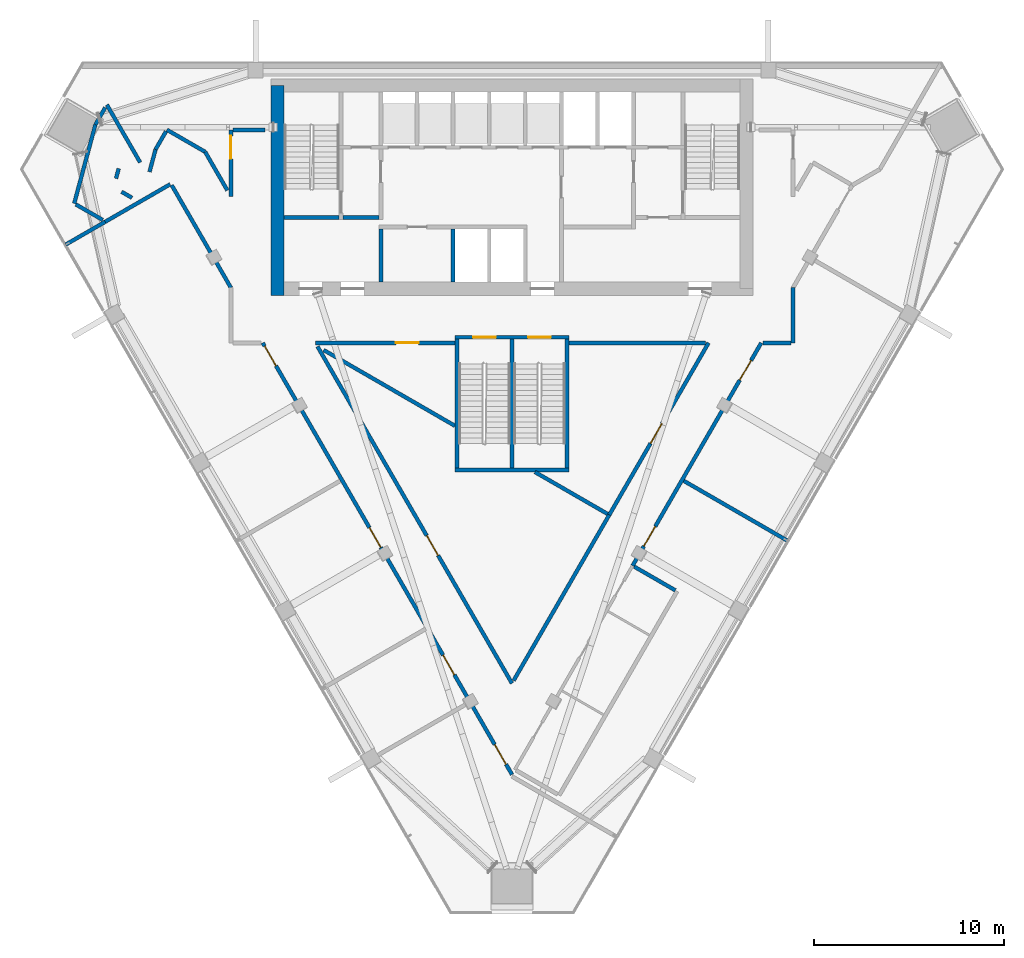
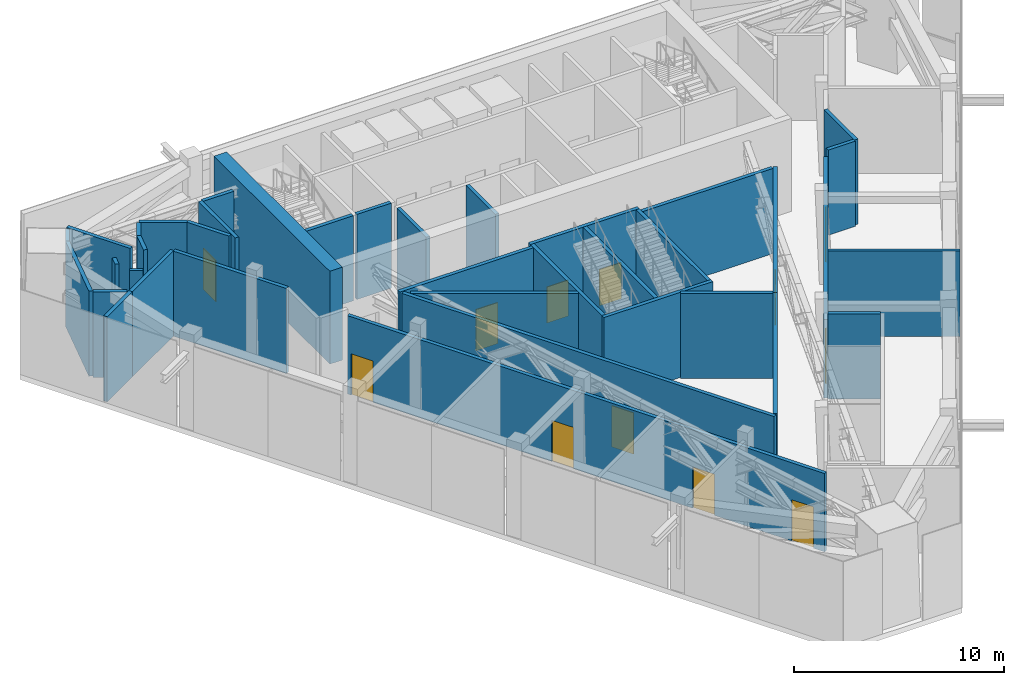
# One storey, part 9 of 14: 38 walls, 12 doors, 12 openings.
"""IFC4 building model written with IfcOpenShell, lengths in metres."""

from ifc_helpers import new_model, si_unit, direction, frame, frame_2d, origin, place, context, subcontext, project, spatial, rectangle, extrude, material, layer, layer_set, type_object, element, fill, save


model = new_model("IFC4")

# Units and contexts
model_context = context("Model", 3, precision=1e-05, world=origin(), true_north=direction((0.0, 1.0)))
body_context = subcontext(model_context, "Body", "Model", "MODEL_VIEW")
ifc_project = project(units=[si_unit("LENGTHUNIT", "METRE"), si_unit("AREAUNIT", "SQUARE_METRE"), si_unit("VOLUMEUNIT", "CUBIC_METRE"), si_unit("PLANEANGLEUNIT", "RADIAN"), si_unit("MASSUNIT", "GRAM", prefix="KILO")], contexts=[model_context])

# Site, building, storey
site_placement = place(None, origin())
site = spatial("IfcSite", under=ifc_project, at=site_placement, CompositionType="ELEMENT")
building_placement = place(site_placement, origin())
building = spatial("IfcBuilding", under=site, at=building_placement, Name="Altiplano Prism Tower", CompositionType="ELEMENT")
storey_placement = place(building_placement, frame((0.0, 0.0, 189.0)))
storey = spatial("IfcBuildingStorey", under=building, at=storey_placement, Name="L49", CompositionType="ELEMENT", Elevation=189.0)

# Walls
ifc_material_1 = material(Name="Concrete C60/75", Category="concrete")
ifc_layer_1 = layer(ifc_material_1, 0.699951171875)
ifc_layer_set_1 = layer_set([ifc_layer_1], Name="Concrete C60/75")
wall_type_1 = type_object("IfcWallType", Name="Core wall 700", PredefinedType="SHEAR", material=ifc_layer_set_1)
wall_1_placement = place(storey_placement, frame((72.64990234375, 103.75, 0.0), z_axis=(0.0, 0.0, 1.0), x_axis=(0.0, -1.0, 0.0)))
element("IfcWall", 1, at=wall_1_placement, inside=storey, type_object=wall_type_1, Name="Core wall W L49", PredefinedType="SHEAR", context=body_context, shape_type="SweptSolid", body=[
    extrude(rectangle(XDim=11.050048828125, YDim=0.699951171875, at=frame_2d((5.52490234375, 0.0))), origin(), (0.0, 0.0, 1.0), 5.39990234375),
])
ifc_material_2 = material(Name="Plasterboard on steel stud", Category="steel")
ifc_layer_2 = layer(ifc_material_2, 0.199951171875)
ifc_layer_set_2 = layer_set([ifc_layer_2], Name="Plasterboard on steel stud")
wall_type_2 = type_object("IfcWallType", Name="Partition 200 plant", PredefinedType="PARTITIONING", material=ifc_layer_set_2)
wall_2_placement = place(storey_placement, frame((63.580078125, 96.57421875, 0.0), z_axis=(0.0, 0.0, 1.0), x_axis=(0.86603939311, 0.499975768995, 0.0)))
element("IfcWall", 2, at=wall_2_placement, inside=storey, type_object=wall_type_2, Name="Partition P04 L49 001", PredefinedType="PARTITIONING", context=body_context, shape_type="SweptSolid", body=[
    extrude(rectangle(XDim=3.948974609375, YDim=0.199951171875, at=frame_2d((1.974609375, 0.0))), origin(), (0.0, 0.0, 1.0), 4.949951171875),
])
wall_3_placement = place(storey_placement, frame((67.084228515625, 98.5, 0.0), z_axis=(0.0, 0.0, 1.0), x_axis=(0.500007335828, -0.866021168401, 0.0)))
element("IfcWall", 3, at=wall_3_placement, inside=storey, type_object=wall_type_2, Name="Partition P04 L49 002", PredefinedType="PARTITIONING", context=body_context, shape_type="SweptSolid", body=[
    extrude(rectangle(XDim=6.2314453125, YDim=0.199951171875, at=frame_2d((3.11572265625, 0.0))), origin(), (0.0, 0.0, 1.0), 4.949951171875),
])

# Wall, openings, doors
wall_4_placement = place(storey_placement, frame((71.876220703125, 90.199951171875, 0.0), z_axis=(0.0, 0.0, 1.0), x_axis=(0.500005603162, -0.866022168773, 0.0)))
wall_4 = element("IfcWall", 4, at=wall_4_placement, inside=storey, type_object=wall_type_2, Name="Partition P04 L49 005", PredefinedType="PARTITIONING", context=body_context, shape_type="SweptSolid", body=[
    extrude(rectangle(XDim=26.247314453125, YDim=0.199951171875, at=frame_2d((13.12353515625, 0.0))), origin(), (0.0, 0.0, 1.0), 4.550048828125),
])
opening_1_placement = place(wall_4_placement, frame((0.199951171875, 0.0, 0.0)))
opening_1 = element("IfcOpeningElement", 5, at=opening_1_placement, cuts=wall_4, Name="Opening D1722", PredefinedType="OPENING", context=body_context, shape_type="SweptSolid", body=[
    extrude(rectangle(XDim=1.199951171875, YDim=2.39990234375, at=frame_2d((0.60009765625, 1.199951171875))), frame((0.0, 0.1103515625, 0.0), z_axis=(0.0, -1.0, 0.0), x_axis=(1.0, 0.0, 0.0)), (0.0, 0.0, 1.0), 0.220947265625),
])
opening_2_placement = place(wall_4_placement, frame((11.23193359375, 0.0, 0.0)))
opening_2 = element("IfcOpeningElement", 6, at=opening_2_placement, cuts=wall_4, Name="Opening D1723", PredefinedType="OPENING", context=body_context, shape_type="SweptSolid", body=[
    extrude(rectangle(XDim=1.199951171875, YDim=2.39990234375, at=frame_2d((0.60009765625, 1.199951171875))), frame((0.0, 0.1103515625, 0.0), z_axis=(0.0, -1.0, 0.0), x_axis=(1.0, 0.0, 0.0)), (0.0, 0.0, 1.0), 0.220947265625),
])
opening_3_placement = place(wall_4_placement, frame((18.98193359375, 0.0, 0.0)))
opening_3 = element("IfcOpeningElement", 7, at=opening_3_placement, cuts=wall_4, Name="Opening D1724", PredefinedType="OPENING", context=body_context, shape_type="SweptSolid", body=[
    extrude(rectangle(XDim=1.199951171875, YDim=2.39990234375, at=frame_2d((0.60009765625, 1.199951171875))), frame((0.0, 0.1103515625, 0.0), z_axis=(0.0, -1.0, 0.0), x_axis=(1.0, 0.0, 0.0)), (0.0, 0.0, 1.0), 0.220947265625),
])
opening_4_placement = place(wall_4_placement, frame((24.423095703125, 0.0, 0.0)))
opening_4 = element("IfcOpeningElement", 8, at=opening_4_placement, cuts=wall_4, Name="Opening D1725", PredefinedType="OPENING", context=body_context, shape_type="SweptSolid", body=[
    extrude(rectangle(XDim=1.199951171875, YDim=2.39990234375, at=frame_2d((0.60009765625, 1.199951171875))), frame((0.0, 0.1103515625, 0.0), z_axis=(0.0, -1.0, 0.0), x_axis=(1.0, 0.0, 0.0)), (0.0, 0.0, 1.0), 0.220947265625),
])
ifc_material_3 = material(Name="Painted steel door leaf", Category="steel")
door_type_1 = type_object("IfcDoorType", Name="Plant room door 1200 x 2400", OperationType="NOTDEFINED", PredefinedType="NOTDEFINED", material=ifc_material_3)
door_1_placement = place(opening_1_placement, origin())
door_1 = element("IfcDoor", 9, at=door_1_placement, inside=storey, type_object=door_type_1, Name="Door D1722", OperationType="SINGLE_SWING_RIGHT", OverallHeight=2.39990234375, OverallWidth=1.199951171875, PredefinedType="NOTDEFINED", context=body_context, shape_type="SweptSolid", body=[
    extrude(rectangle(XDim=1.199951171875, YDim=2.39990234375, at=frame_2d((0.60009765625, 1.199951171875))), frame((0.0, 0.02490234375, 0.0), z_axis=(0.0, -1.0, 0.0), x_axis=(1.0, 0.0, 0.0)), (0.0, 0.0, 1.0), 0.050048828125),
])
fill(opening_1, door_1)
door_2_placement = place(opening_2_placement, origin())
door_2 = element("IfcDoor", 10, at=door_2_placement, inside=storey, type_object=door_type_1, Name="Door D1723", OperationType="SINGLE_SWING_LEFT", OverallHeight=2.39990234375, OverallWidth=1.199951171875, PredefinedType="NOTDEFINED", context=body_context, shape_type="SweptSolid", body=[
    extrude(rectangle(XDim=1.199951171875, YDim=2.39990234375, at=frame_2d((0.60009765625, 1.199951171875))), frame((0.0, 0.02490234375, 0.0), z_axis=(0.0, -1.0, 0.0), x_axis=(1.0, 0.0, 0.0)), (0.0, 0.0, 1.0), 0.050048828125),
])
fill(opening_2, door_2)
door_3_placement = place(opening_3_placement, origin())
door_3 = element("IfcDoor", 11, at=door_3_placement, inside=storey, type_object=door_type_1, Name="Door D1724", OperationType="SINGLE_SWING_LEFT", OverallHeight=2.39990234375, OverallWidth=1.199951171875, PredefinedType="NOTDEFINED", context=body_context, shape_type="SweptSolid", body=[
    extrude(rectangle(XDim=1.199951171875, YDim=2.39990234375, at=frame_2d((0.60009765625, 1.199951171875))), frame((0.0, 0.02490234375, 0.0), z_axis=(0.0, -1.0, 0.0), x_axis=(1.0, 0.0, 0.0)), (0.0, 0.0, 1.0), 0.050048828125),
])
fill(opening_3, door_3)
door_4_placement = place(opening_4_placement, origin())
door_4 = element("IfcDoor", 12, at=door_4_placement, inside=storey, type_object=door_type_1, Name="Door D1725", OperationType="SINGLE_SWING_RIGHT", OverallHeight=2.39990234375, OverallWidth=1.199951171875, PredefinedType="NOTDEFINED", context=body_context, shape_type="SweptSolid", body=[
    extrude(rectangle(XDim=1.199951171875, YDim=2.39990234375, at=frame_2d((0.60009765625, 1.199951171875))), frame((0.0, 0.02490234375, 0.0), z_axis=(0.0, -1.0, 0.0), x_axis=(1.0, 0.0, 0.0)), (0.0, 0.0, 1.0), 0.050048828125),
])
fill(opening_4, door_4)

wall_5_placement = place(storey_placement, frame((91.35009765625, 78.4677734375, 0.0), z_axis=(0.0, 0.0, 1.0), x_axis=(0.50000584995, 0.866022026288, 0.0)))
wall_5 = element("IfcWall", 13, at=wall_5_placement, inside=storey, type_object=wall_type_2, Name="Partition P04 L49 006", PredefinedType="PARTITIONING", context=body_context, shape_type="SweptSolid", body=[
    extrude(rectangle(XDim=13.547119140625, YDim=0.199951171875, at=frame_2d((6.7734375, 0.0))), origin(), (0.0, 0.0, 1.0), 4.550048828125),
])
opening_5_placement = place(wall_5_placement, frame((1.18408203125, 0.0, 0.0)))
opening_5 = element("IfcOpeningElement", 14, at=opening_5_placement, cuts=wall_5, Name="Opening D1726", PredefinedType="OPENING", context=body_context, shape_type="SweptSolid", body=[
    extrude(rectangle(XDim=1.199951171875, YDim=2.39990234375, at=frame_2d((0.60009765625, 1.199951171875))), frame((0.0, 0.1103515625, 0.0), z_axis=(0.0, -1.0, 0.0), x_axis=(1.0, 0.0, 0.0)), (0.0, 0.0, 1.0), 0.220947265625),
])
opening_6_placement = place(wall_5_placement, frame((11.281005859375, 0.0, 0.0)))
opening_6 = element("IfcOpeningElement", 15, at=opening_6_placement, cuts=wall_5, Name="Opening D1727", PredefinedType="OPENING", context=body_context, shape_type="SweptSolid", body=[
    extrude(rectangle(XDim=1.199951171875, YDim=2.39990234375, at=frame_2d((0.60009765625, 1.199951171875))), frame((0.0, 0.1103515625, 0.0), z_axis=(0.0, -1.0, 0.0), x_axis=(1.0, 0.0, 0.0)), (0.0, 0.0, 1.0), 0.220947265625),
])
door_5_placement = place(opening_5_placement, origin())
door_5 = element("IfcDoor", 16, at=door_5_placement, inside=storey, type_object=door_type_1, Name="Door D1726", OperationType="SINGLE_SWING_RIGHT", OverallHeight=2.39990234375, OverallWidth=1.199951171875, PredefinedType="NOTDEFINED", context=body_context, shape_type="SweptSolid", body=[
    extrude(rectangle(XDim=1.199951171875, YDim=2.39990234375, at=frame_2d((0.60009765625, 1.199951171875))), frame((0.0, 0.02490234375, 0.0), z_axis=(0.0, -1.0, 0.0), x_axis=(1.0, 0.0, 0.0)), (0.0, 0.0, 1.0), 0.050048828125),
])
fill(opening_5, door_5)
door_6_placement = place(opening_6_placement, origin())
door_6 = element("IfcDoor", 17, at=door_6_placement, inside=storey, type_object=door_type_1, Name="Door D1727", OperationType="SINGLE_SWING_LEFT", OverallHeight=2.39990234375, OverallWidth=1.199951171875, PredefinedType="NOTDEFINED", context=body_context, shape_type="SweptSolid", body=[
    extrude(rectangle(XDim=1.199951171875, YDim=2.39990234375, at=frame_2d((0.60009765625, 1.199951171875))), frame((0.0, 0.02490234375, 0.0), z_axis=(0.0, -1.0, 0.0), x_axis=(1.0, 0.0, 0.0)), (0.0, 0.0, 1.0), 0.050048828125),
])
fill(opening_6, door_6)

# Walls
wall_6_placement = place(storey_placement, frame((98.210205078125, 90.199951171875, 0.0), z_axis=(0.0, 0.0, 1.0), x_axis=(0.999999946286, 0.000327761372, 0.0)))
element("IfcWall", 18, at=wall_6_placement, inside=storey, type_object=wall_type_2, Name="Partition P04 L49 007", PredefinedType="PARTITIONING", context=body_context, shape_type="SweptSolid", body=[
    extrude(rectangle(XDim=1.48974609375, YDim=0.199951171875, at=frame_2d((0.744873046875, 0.0))), origin(), (0.0, 0.0, 1.0), 4.949951171875),
])
wall_7_placement = place(storey_placement, frame((99.7998046875, 90.200439453125, 0.0), z_axis=(0.0, 0.0, 1.0), x_axis=(8.4097216e-05, 0.999999996464, 0.0)))
element("IfcWall", 19, at=wall_7_placement, inside=storey, type_object=wall_type_2, Name="Partition P04 L49 008", PredefinedType="PARTITIONING", context=body_context, shape_type="SweptSolid", body=[
    extrude(rectangle(XDim=2.903076171875, YDim=0.199951171875, at=frame_2d((1.45166015625, 0.0))), origin(), (0.0, 0.0, 1.0), 4.949951171875),
])
wall_8_placement = place(storey_placement, frame((90.12060546875, 81.140380859375, 0.0), z_axis=(0.0, 0.0, 1.0), x_axis=(-0.499991133664, -0.866030522706, 0.0)))
element("IfcWall", 20, at=wall_8_placement, inside=storey, type_object=wall_type_2, Name="Partition P04 L49 016", PredefinedType="PARTITIONING", context=body_context, shape_type="SweptSolid", body=[
    extrude(rectangle(XDim=10.068115234375, YDim=0.199951171875, at=frame_2d((5.0341796875, 0.0))), origin(), (0.0, 0.0, 1.0), 4.949951171875),
])

# Wall, opening, door
wall_9_placement = place(storey_placement, frame((85.0, 72.271240234375, 0.0), z_axis=(0.0, 0.0, 1.0), x_axis=(-0.500000347232, 0.86602520331, 0.0)))
wall_9 = element("IfcWall", 21, at=wall_9_placement, inside=storey, type_object=wall_type_2, Name="Partition P04 L49 017", PredefinedType="PARTITIONING", context=body_context, shape_type="SweptSolid", body=[
    extrude(rectangle(XDim=20.482421875, YDim=0.199951171875, at=frame_2d((10.2412109375, 0.0))), origin(), (0.0, 0.0, 1.0), 4.949951171875),
])
opening_7_placement = place(wall_9_placement, frame((7.779052734375, 0.0, 0.0)))
opening_7 = element("IfcOpeningElement", 22, at=opening_7_placement, cuts=wall_9, Name="Opening D1731", PredefinedType="OPENING", context=body_context, shape_type="SweptSolid", body=[
    extrude(rectangle(XDim=1.199951171875, YDim=2.39990234375, at=frame_2d((0.60009765625, 1.199951171875))), frame((0.0, 0.1103515625, 0.0), z_axis=(0.0, -1.0, 0.0), x_axis=(1.0, 0.0, 0.0)), (0.0, 0.0, 1.0), 0.220947265625),
])
door_7_placement = place(opening_7_placement, origin())
door_7 = element("IfcDoor", 23, at=door_7_placement, inside=storey, type_object=door_type_1, Name="Door D1731", OperationType="SINGLE_SWING_RIGHT", OverallHeight=2.39990234375, OverallWidth=1.199951171875, PredefinedType="NOTDEFINED", context=body_context, shape_type="SweptSolid", body=[
    extrude(rectangle(XDim=1.199951171875, YDim=2.39990234375, at=frame_2d((0.60009765625, 1.199951171875))), frame((0.0, 0.02490234375, 0.0), z_axis=(0.0, -1.0, 0.0), x_axis=(1.0, 0.0, 0.0)), (0.0, 0.0, 1.0), 0.050048828125),
])
fill(opening_7, door_7)

# Wall
wall_10_placement = place(storey_placement, frame((72.0, 101.40087890625, 0.0), z_axis=(0.0, 0.0, 1.0), x_axis=(-1.0, 0.0, 0.0)))
element("IfcWall", 24, at=wall_10_placement, inside=storey, type_object=wall_type_2, Name="Partition P04 L49 018", PredefinedType="PARTITIONING", context=body_context, shape_type="SweptSolid", body=[
    extrude(rectangle(XDim=1.700927734375, YDim=0.199951171875, at=frame_2d((0.8505859375, 0.0))), origin(), (0.0, 0.0, 1.0), 4.949951171875),
])

# Wall, opening, door
wall_11_placement = place(storey_placement, frame((70.198974609375, 101.40087890625, 0.0), z_axis=(0.0, 0.0, 1.0), x_axis=(0.0, -1.0, 0.0)))
wall_11 = element("IfcWall", 25, at=wall_11_placement, inside=storey, type_object=wall_type_2, Name="Partition P04 L49 019", PredefinedType="PARTITIONING", context=body_context, shape_type="SweptSolid", body=[
    extrude(rectangle(XDim=3.49365234375, YDim=0.199951171875, at=frame_2d((1.746826171875, 0.0))), origin(), (0.0, 0.0, 1.0), 4.949951171875),
])
opening_8_placement = place(wall_11_placement, frame((0.30810546875, 0.0, 0.0)))
opening_8 = element("IfcOpeningElement", 26, at=opening_8_placement, cuts=wall_11, Name="Opening D1732", PredefinedType="OPENING", context=body_context, shape_type="SweptSolid", body=[
    extrude(rectangle(XDim=1.199951171875, YDim=2.39990234375, at=frame_2d((0.60009765625, 1.199951171875))), frame((0.0, 0.1103515625, 0.0), z_axis=(0.0, -1.0, 0.0), x_axis=(1.0, 0.0, 0.0)), (0.0, 0.0, 1.0), 0.220947265625),
])
door_8_placement = place(opening_8_placement, origin())
door_8 = element("IfcDoor", 27, at=door_8_placement, inside=storey, type_object=door_type_1, Name="Door D1732", OperationType="SINGLE_SWING_LEFT", OverallHeight=2.39990234375, OverallWidth=1.199951171875, PredefinedType="NOTDEFINED", context=body_context, shape_type="SweptSolid", body=[
    extrude(rectangle(XDim=1.199951171875, YDim=2.39990234375, at=frame_2d((0.60009765625, 1.199951171875))), frame((0.0, 0.02490234375, 0.0), z_axis=(0.0, -1.0, 0.0), x_axis=(1.0, 0.0, 0.0)), (0.0, 0.0, 1.0), 0.050048828125),
])
fill(opening_8, door_8)

# Walls
wall_12_placement = place(storey_placement, frame((70.012451171875, 98.23046875, 0.0), z_axis=(0.0, 0.0, 1.0), x_axis=(-0.500065562951, 0.865987547688, 0.0)))
element("IfcWall", 28, at=wall_12_placement, inside=storey, type_object=wall_type_2, Name="Partition P04 L49 020", PredefinedType="PARTITIONING", context=body_context, shape_type="SweptSolid", body=[
    extrude(rectangle(XDim=2.340576171875, YDim=0.199951171875, at=frame_2d((1.17041015625, 0.0))), origin(), (0.0, 0.0, 1.0), 4.949951171875),
])
wall_13_placement = place(storey_placement, frame((68.842041015625, 100.25732421875, 0.0), z_axis=(0.0, 0.0, 1.0), x_axis=(-0.86597733039, 0.500083256319, 0.0)))
element("IfcWall", 29, at=wall_13_placement, inside=storey, type_object=wall_type_2, Name="Partition P04 L49 021", PredefinedType="PARTITIONING", context=body_context, shape_type="SweptSolid", body=[
    extrude(rectangle(XDim=2.3232421875, YDim=0.199951171875, at=frame_2d((1.16162109375, 0.0))), origin(), (0.0, 0.0, 1.0), 4.949951171875),
])
wall_14_placement = place(storey_placement, frame((66.7802734375, 101.33251953125, 0.0), z_axis=(0.0, 0.0, 1.0), x_axis=(-0.500074377092, -0.865982457891, 0.0)))
element("IfcWall", 30, at=wall_14_placement, inside=storey, type_object=wall_type_2, Name="Partition P04 L49 022", PredefinedType="PARTITIONING", context=body_context, shape_type="SweptSolid", body=[
    extrude(rectangle(XDim=1.100830078125, YDim=0.199951171875, at=frame_2d((0.55029296875, 0.0))), origin(), (0.0, 0.0, 1.0), 4.949951171875),
])
wall_15_placement = place(storey_placement, frame((66.229736328125, 100.379150390625, 0.0), z_axis=(0.0, 0.0, 1.0), x_axis=(-0.258900062988, -0.96590411397, 0.0)))
element("IfcWall", 31, at=wall_15_placement, inside=storey, type_object=wall_type_2, Name="Partition P04 L49 023", PredefinedType="PARTITIONING", context=body_context, shape_type="SweptSolid", body=[
    extrude(rectangle(XDim=1.215576171875, YDim=0.199951171875, at=frame_2d((0.60791015625, 0.0))), origin(), (0.0, 0.0, 1.0), 4.949951171875),
])
wall_16_placement = place(storey_placement, frame((64.989990234375, 97.838623046875, 0.0), z_axis=(0.0, 0.0, 1.0), x_axis=(-0.865961339213, 0.50011094668, 0.0)))
element("IfcWall", 32, at=wall_16_placement, inside=storey, type_object=wall_type_2, Name="Partition P04 L49 024", PredefinedType="PARTITIONING", context=body_context, shape_type="SweptSolid", body=[
    extrude(rectangle(XDim=0.634521484375, YDim=0.199951171875, at=frame_2d((0.3173828125, 0.0))), origin(), (0.0, 0.0, 1.0), 4.949951171875),
])
wall_17_placement = place(storey_placement, frame((64.151123046875, 98.851806640625, 0.0), z_axis=(0.0, 0.0, 1.0), x_axis=(0.256212647339, 0.966620442233, 0.0)))
element("IfcWall", 33, at=wall_17_placement, inside=storey, type_object=wall_type_2, Name="Partition P04 L49 025", PredefinedType="PARTITIONING", context=body_context, shape_type="SweptSolid", body=[
    extrude(rectangle(XDim=0.545166015625, YDim=0.199951171875, at=frame_2d((0.2724609375, 0.0))), origin(), (0.0, 0.0, 1.0), 4.949951171875),
])
wall_18_placement = place(storey_placement, frame((65.421875, 99.70068359375, 0.0), z_axis=(0.0, 0.0, 1.0), x_axis=(-0.50001558016, 0.866016408388, 0.0)))
element("IfcWall", 34, at=wall_18_placement, inside=storey, type_object=wall_type_2, Name="Partition P04 L49 026", PredefinedType="PARTITIONING", context=body_context, shape_type="SweptSolid", body=[
    extrude(rectangle(XDim=3.5087890625, YDim=0.199951171875, at=frame_2d((1.75439453125, 0.0))), origin(), (0.0, 0.0, 1.0), 4.949951171875),
])
wall_19_placement = place(storey_placement, frame((63.580810546875, 102.58935546875, 0.0), z_axis=(0.0, 0.0, 1.0), x_axis=(-0.499885440202, -0.866091534813, 0.0)))
element("IfcWall", 35, at=wall_19_placement, inside=storey, type_object=wall_type_2, Name="Partition P04 L49 027", PredefinedType="PARTITIONING", context=body_context, shape_type="SweptSolid", body=[
    extrude(rectangle(XDim=1.037353515625, YDim=0.199951171875, at=frame_2d((0.5185546875, 0.0))), origin(), (0.0, 0.0, 1.0), 4.949951171875),
])
wall_20_placement = place(storey_placement, frame((63.062255859375, 101.69091796875, 0.0), z_axis=(0.0, 0.0, 1.0), x_axis=(-0.258804215512, -0.965929799744, 0.0)))
element("IfcWall", 36, at=wall_20_placement, inside=storey, type_object=wall_type_2, Name="Partition P04 L49 028", PredefinedType="PARTITIONING", context=body_context, shape_type="SweptSolid", body=[
    extrude(rectangle(XDim=4.298828125, YDim=0.199951171875, at=frame_2d((2.1494140625, 0.0))), origin(), (0.0, 0.0, 1.0), 4.949951171875),
])
wall_21_placement = place(storey_placement, frame((62.033203125, 97.490234375, 0.0), z_axis=(0.0, 0.0, 1.0), x_axis=(0.866048900715, -0.499959299913, 0.0)))
element("IfcWall", 37, at=wall_21_placement, inside=storey, type_object=wall_type_2, Name="Partition P04 L49 029", PredefinedType="PARTITIONING", context=body_context, shape_type="SweptSolid", body=[
    extrude(rectangle(XDim=1.635986328125, YDim=0.199951171875, at=frame_2d((0.81787109375, 0.0))), origin(), (0.0, 0.0, 1.0), 4.949951171875),
])

# Wall, opening, door
wall_22_placement = place(storey_placement, frame((74.6494140625, 90.198974609375, 0.0), z_axis=(0.0, 0.0, 1.0), x_axis=(1.0, 0.0, 0.0)))
wall_22 = element("IfcWall", 38, at=wall_22_placement, inside=storey, type_object=wall_type_2, Name="Partition P04 L49 030", PredefinedType="PARTITIONING", context=body_context, shape_type="SweptSolid", body=[
    extrude(rectangle(XDim=7.3505859375, YDim=0.199951171875, at=frame_2d((3.67529296875, 0.0))), origin(), (0.0, 0.0, 1.0), 4.949951171875),
])
opening_9_placement = place(wall_22_placement, frame((4.23388671875, 0.0, 0.0)))
opening_9 = element("IfcOpeningElement", 39, at=opening_9_placement, cuts=wall_22, Name="Opening D1733", PredefinedType="OPENING", context=body_context, shape_type="SweptSolid", body=[
    extrude(rectangle(XDim=1.199951171875, YDim=2.39990234375, at=frame_2d((0.60009765625, 1.199951171875))), frame((0.0, 0.1103515625, 0.0), z_axis=(0.0, -1.0, 0.0), x_axis=(1.0, 0.0, 0.0)), (0.0, 0.0, 1.0), 0.220947265625),
])
door_9_placement = place(opening_9_placement, origin())
door_9 = element("IfcDoor", 40, at=door_9_placement, inside=storey, type_object=door_type_1, Name="Door D1733", OperationType="SINGLE_SWING_LEFT", OverallHeight=2.39990234375, OverallWidth=1.199951171875, PredefinedType="NOTDEFINED", context=body_context, shape_type="SweptSolid", body=[
    extrude(rectangle(XDim=1.199951171875, YDim=2.39990234375, at=frame_2d((0.60009765625, 1.199951171875))), frame((0.0, 0.02490234375, 0.0), z_axis=(0.0, -1.0, 0.0), x_axis=(1.0, 0.0, 0.0)), (0.0, 0.0, 1.0), 0.050048828125),
])
fill(opening_9, door_9)

# Walls
wall_23_placement = place(storey_placement, frame((63.580078125, 96.57421875, 0.0), z_axis=(0.0, 0.0, 1.0), x_axis=(-0.866033280158, -0.499986357472, 0.0)))
element("IfcWall", 41, at=wall_23_placement, inside=storey, type_object=wall_type_2, Name="Partition P04 L49 033", PredefinedType="PARTITIONING", context=body_context, shape_type="SweptSolid", body=[
    extrude(rectangle(XDim=2.40234375, YDim=0.199951171875, at=frame_2d((1.201171875, 0.0))), origin(), (0.0, 0.0, 1.0), 4.949951171875),
])
wall_24_placement = place(storey_placement, frame((99.50048828125, 79.78466796875, 0.0), z_axis=(0.0, 0.0, 1.0), x_axis=(-0.866035871367, 0.499981869177, 0.0)))
element("IfcWall", 42, at=wall_24_placement, inside=storey, type_object=wall_type_2, Name="Partition P04 L49 037", PredefinedType="PARTITIONING", context=body_context, shape_type="SweptSolid", body=[
    extrude(rectangle(XDim=6.300048828125, YDim=0.199951171875, at=frame_2d((3.14990234375, 0.0))), origin(), (0.0, 0.0, 1.0), 4.949951171875),
])
wall_25_placement = place(storey_placement, frame((91.4365234375, 78.417724609375, 0.0), z_axis=(0.0, 0.0, 1.0), x_axis=(0.866022959057, -0.500004234368, 0.0)))
element("IfcWall", 43, at=wall_25_placement, inside=storey, type_object=wall_type_2, Name="Partition P04 L49 040", PredefinedType="PARTITIONING", context=body_context, shape_type="SweptSolid", body=[
    extrude(rectangle(XDim=2.5, YDim=0.199951171875, at=frame_2d((1.25, 0.0))), origin(), (0.0, 0.0, 1.0), 4.949951171875),
])
wall_26_placement = place(storey_placement, frame((82.0, 85.828857421875, 0.0), z_axis=(0.0, 0.0, 1.0), x_axis=(-0.866022720283, 0.500004647933, 0.0)))
element("IfcWall", 44, at=wall_26_placement, inside=storey, type_object=wall_type_2, Name="Partition P04 L49 045", PredefinedType="PARTITIONING", context=body_context, shape_type="SweptSolid", body=[
    extrude(rectangle(XDim=7.98828125, YDim=0.199951171875, at=frame_2d((3.994140625, 0.0))), origin(), (0.0, 0.0, 1.0), 4.949951171875),
])
ifc_layer_3 = layer(ifc_material_2, 0.199951171875)
ifc_layer_set_3 = layer_set([ifc_layer_3], Name="Plasterboard on steel stud")
wall_type_3 = type_object("IfcWallType", Name="Partition 200 refuge", PredefinedType="PARTITIONING", material=ifc_layer_set_3)
wall_27_placement = place(storey_placement, frame((88.0, 90.198974609375, 0.0), z_axis=(0.0, 0.0, 1.0), x_axis=(1.0, 0.0, 0.0)))
element("IfcWall", 45, at=wall_27_placement, inside=storey, type_object=wall_type_3, Name="Partition P05 L49 014", PredefinedType="PARTITIONING", context=body_context, shape_type="SweptSolid", body=[
    extrude(rectangle(XDim=7.177490234375, YDim=0.199951171875, at=frame_2d((3.5888671875, 0.0))), origin(), (0.0, 0.0, 1.0), 4.949951171875),
])

# Wall, opening, door
wall_28_placement = place(storey_placement, frame((95.3505859375, 90.198974609375, 0.0), z_axis=(0.0, 0.0, 1.0), x_axis=(-0.499999923186, -0.866025448133, 0.0)))
wall_28 = element("IfcWall", 46, at=wall_28_placement, inside=storey, type_object=wall_type_3, Name="Partition P05 L49 015", PredefinedType="PARTITIONING", context=body_context, shape_type="SweptSolid", body=[
    extrude(rectangle(XDim=10.4599609375, YDim=0.199951171875, at=frame_2d((5.22998046875, 0.0))), origin(), (0.0, 0.0, 1.0), 4.949951171875),
])
opening_10_placement = place(wall_28_placement, frame((4.912109375, 0.0, 0.0)))
opening_10 = element("IfcOpeningElement", 47, at=opening_10_placement, cuts=wall_28, Name="Opening D1730", PredefinedType="OPENING", context=body_context, shape_type="SweptSolid", body=[
    extrude(rectangle(XDim=1.199951171875, YDim=2.39990234375, at=frame_2d((0.60009765625, 1.199951171875))), frame((0.0, 0.1103515625, 0.0), z_axis=(0.0, -1.0, 0.0), x_axis=(1.0, 0.0, 0.0)), (0.0, 0.0, 1.0), 0.220947265625),
])
door_type_2 = type_object("IfcDoorType", Name="Refuge area door 1200 x 2400", OperationType="NOTDEFINED", PredefinedType="NOTDEFINED", material=ifc_material_3)
door_10_placement = place(opening_10_placement, origin())
door_10 = element("IfcDoor", 48, at=door_10_placement, inside=storey, type_object=door_type_2, Name="Door D1730", OperationType="SINGLE_SWING_LEFT", OverallHeight=2.39990234375, OverallWidth=1.199951171875, PredefinedType="NOTDEFINED", context=body_context, shape_type="SweptSolid", body=[
    extrude(rectangle(XDim=1.199951171875, YDim=2.39990234375, at=frame_2d((0.60009765625, 1.199951171875))), frame((0.0, 0.02490234375, 0.0), z_axis=(0.0, -1.0, 0.0), x_axis=(1.0, 0.0, 0.0)), (0.0, 0.0, 1.0), 0.050048828125),
])
fill(opening_10, door_10)

# Walls
wall_29_placement = place(storey_placement, frame((86.206787109375, 83.39990234375, 0.0), z_axis=(0.0, 0.0, 1.0), x_axis=(0.866038388979, -0.499977508309, 0.0)))
element("IfcWall", 49, at=wall_29_placement, inside=storey, type_object=wall_type_3, Name="Partition P05 L49 044", PredefinedType="PARTITIONING", context=body_context, shape_type="SweptSolid", body=[
    extrude(rectangle(XDim=4.419189453125, YDim=0.199951171875, at=frame_2d((2.20947265625, 0.0))), origin(), (0.0, 0.0, 1.0), 4.949951171875),
])
ifc_layer_4 = layer(ifc_material_1, 0.199951171875)
ifc_layer_set_4 = layer_set([ifc_layer_4], Name="Concrete C60/75")
wall_type_4 = type_object("IfcWallType", Name="Shaft wall 200", PredefinedType="SOLIDWALL", material=ifc_layer_set_4)
wall_30_placement = place(storey_placement, frame((81.89990234375, 93.39990234375, 0.0), z_axis=(0.0, 0.0, 1.0), x_axis=(0.0, 1.0, 0.0)))
element("IfcWall", 50, at=wall_30_placement, inside=storey, type_object=wall_type_4, Name="Shaft wall L49", PredefinedType="SOLIDWALL", context=body_context, shape_type="SweptSolid", body=[
    extrude(rectangle(XDim=2.800048828125, YDim=0.199951171875, at=frame_2d((1.39990234375, 0.0))), origin(), (0.0, 0.0, 1.0), 4.949951171875),
])
ifc_layer_5 = layer(ifc_material_1, 0.199951171875)
ifc_layer_set_5 = layer_set([ifc_layer_5], Name="Concrete C60/75")
wall_type_5 = type_object("IfcWallType", Name="Stair wall 200", PredefinedType="SOLIDWALL", material=ifc_layer_set_5)
wall_31_placement = place(storey_placement, frame((73.0, 96.800048828125, 0.0), z_axis=(0.0, 0.0, 1.0), x_axis=(1.0, 0.0, 0.0)))
element("IfcWall", 51, at=wall_31_placement, inside=storey, type_object=wall_type_5, Name="Stair wall L49", PredefinedType="SOLIDWALL", context=body_context, shape_type="SweptSolid", body=[
    extrude(rectangle(XDim=2.89990234375, YDim=0.199951171875, at=frame_2d((1.449951171875, 0.0))), origin(), (0.0, 0.0, 1.0), 4.949951171875),
])

# Wall, openings, doors
wall_32_placement = place(storey_placement, frame((82.0, 90.5, 0.0), z_axis=(0.0, 0.0, 1.0), x_axis=(1.0, 0.0, 0.0)))
wall_32 = element("IfcWall", 52, at=wall_32_placement, inside=storey, type_object=wall_type_5, Name="Stair 3 wall north L49", PredefinedType="SOLIDWALL", context=body_context, shape_type="SweptSolid", body=[
    extrude(rectangle(XDim=6.0, YDim=0.199951171875, at=frame_2d((3.0, 0.0))), origin(), (0.0, 0.0, 1.0), 4.949951171875),
])
opening_11_placement = place(wall_32_placement, frame((0.949951171875, 0.0, 0.0)))
opening_11 = element("IfcOpeningElement", 53, at=opening_11_placement, cuts=wall_32, Name="Opening D4020", PredefinedType="OPENING", context=body_context, shape_type="SweptSolid", body=[
    extrude(rectangle(XDim=1.199951171875, YDim=2.10009765625, at=frame_2d((0.60009765625, 1.050048828125))), frame((0.0, 0.1103515625, 0.0), z_axis=(0.0, -1.0, 0.0), x_axis=(1.0, 0.0, 0.0)), (0.0, 0.0, 1.0), 0.220947265625),
])
opening_12_placement = place(wall_32_placement, frame((3.85009765625, 0.0, 0.0)))
opening_12 = element("IfcOpeningElement", 54, at=opening_12_placement, cuts=wall_32, Name="Opening D4021", PredefinedType="OPENING", context=body_context, shape_type="SweptSolid", body=[
    extrude(rectangle(XDim=1.199951171875, YDim=2.10009765625, at=frame_2d((0.60009765625, 1.050048828125))), frame((0.0, 0.1103515625, 0.0), z_axis=(0.0, -1.0, 0.0), x_axis=(1.0, 0.0, 0.0)), (0.0, 0.0, 1.0), 0.220947265625),
])
ifc_material_4 = material(Name="Fire-rated steel door", Category="steel")
door_type_3 = type_object("IfcDoorType", Name="Stair fire door 1200 x 2100", OperationType="NOTDEFINED", PredefinedType="NOTDEFINED", material=ifc_material_4)
door_11_placement = place(opening_11_placement, origin())
door_11 = element("IfcDoor", 55, at=door_11_placement, inside=storey, type_object=door_type_3, Name="Stair fire door D4020", OperationType="SINGLE_SWING_LEFT", OverallHeight=2.10009765625, OverallWidth=1.199951171875, PredefinedType="NOTDEFINED", context=body_context, shape_type="SweptSolid", body=[
    extrude(rectangle(XDim=1.199951171875, YDim=2.10009765625, at=frame_2d((0.60009765625, 1.050048828125))), frame((0.0, 0.02490234375, 0.0), z_axis=(0.0, -1.0, 0.0), x_axis=(1.0, 0.0, 0.0)), (0.0, 0.0, 1.0), 0.050048828125),
])
fill(opening_11, door_11)
door_12_placement = place(opening_12_placement, origin())
door_12 = element("IfcDoor", 56, at=door_12_placement, inside=storey, type_object=door_type_3, Name="Stair fire door D4021", OperationType="SINGLE_SWING_LEFT", OverallHeight=2.10009765625, OverallWidth=1.199951171875, PredefinedType="NOTDEFINED", context=body_context, shape_type="SweptSolid", body=[
    extrude(rectangle(XDim=1.199951171875, YDim=2.10009765625, at=frame_2d((0.60009765625, 1.050048828125))), frame((0.0, 0.02490234375, 0.0), z_axis=(0.0, -1.0, 0.0), x_axis=(1.0, 0.0, 0.0)), (0.0, 0.0, 1.0), 0.050048828125),
])
fill(opening_12, door_12)

# Walls
wall_33_placement = place(storey_placement, frame((82.0, 83.5, 0.0), z_axis=(0.0, 0.0, 1.0), x_axis=(1.0, 0.0, 0.0)))
element("IfcWall", 57, at=wall_33_placement, inside=storey, type_object=wall_type_5, Name="Stair 3 wall south L49", PredefinedType="SOLIDWALL", context=body_context, shape_type="SweptSolid", body=[
    extrude(rectangle(XDim=6.0, YDim=0.199951171875, at=frame_2d((3.0, 0.0))), origin(), (0.0, 0.0, 1.0), 4.949951171875),
])
for number, where, z_axis, x_axis, name in (
    (58, (82.10009765625, 83.60009765625, 0.0), (0.0, 0.0, 1.0), (0.0, 1.0, 0.0), "Stair 3 wall west L49"),
    (59, (87.89990234375, 83.60009765625, 0.0), (0.0, 0.0, 1.0), (0.0, 1.0, 0.0), "Stair 3 wall east L49"),
    (60, (85.0, 83.60009765625, 0.0), (0.0, 0.0, 1.0), (0.0, 1.0, 0.0), "Stair 3 wall divider L49"),
):
    element("IfcWall", number, at=place(storey_placement, frame(where, z_axis=z_axis, x_axis=x_axis)), inside=storey, type_object=wall_type_5, Name=name, PredefinedType="SOLIDWALL", context=body_context, shape_type="SweptSolid", body=[
        extrude(rectangle(XDim=6.7998046875, YDim=0.199951171875, at=frame_2d((3.39990234375, 0.0))), origin(), (0.0, 0.0, 1.0), 4.949951171875),
    ])
ifc_layer_6 = layer(ifc_material_1, 0.199951171875)
ifc_layer_set_6 = layer_set([ifc_layer_6], Name="Concrete C60/75")
wall_type_6 = type_object("IfcWallType", Name="Vestibule wall 200", PredefinedType="PARTITIONING", material=ifc_layer_set_6)
wall_34_placement = place(storey_placement, frame((78.10009765625, 93.39990234375, 0.0), z_axis=(0.0, 0.0, 1.0), x_axis=(0.0, 1.0, 0.0)))
element("IfcWall", 61, at=wall_34_placement, inside=storey, type_object=wall_type_6, Name="Vestibule wall L49", PredefinedType="PARTITIONING", context=body_context, shape_type="SweptSolid", body=[
    extrude(rectangle(XDim=2.800048828125, YDim=0.199951171875, at=frame_2d((1.39990234375, 0.0))), origin(), (0.0, 0.0, 1.0), 4.949951171875),
])
wall_35_placement = place(storey_placement, frame((76.10009765625, 96.800048828125, 0.0), z_axis=(0.0, 0.0, 1.0), x_axis=(1.0, 0.0, 0.0)))
element("IfcWall", 62, at=wall_35_placement, inside=storey, type_object=wall_type_6, Name="Vestibule wall L49", PredefinedType="PARTITIONING", context=body_context, shape_type="SweptSolid", body=[
    extrude(rectangle(XDim=1.89990234375, YDim=0.199951171875, at=frame_2d((0.949951171875, 0.0))), origin(), (0.0, 0.0, 1.0), 4.949951171875),
])

save(model, "model.ifc")
